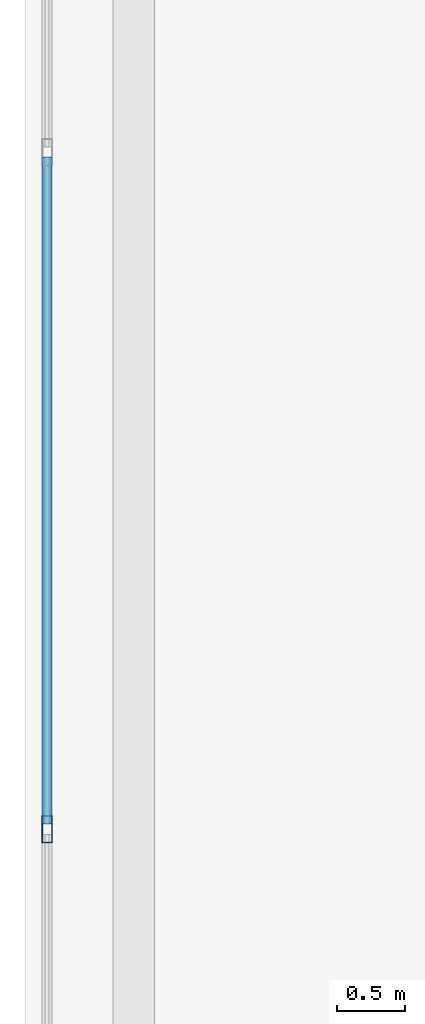
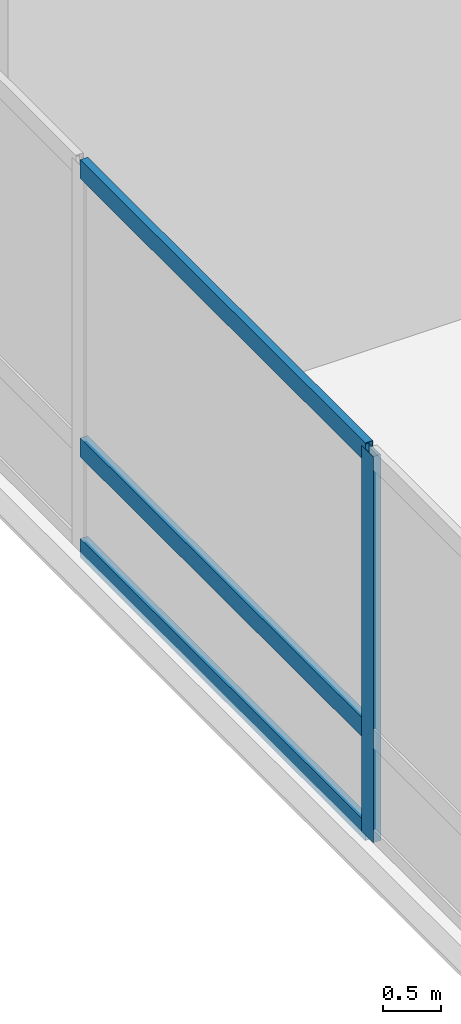
# One storey, part 6 of 36: 4 members, 1 element without a shape of its own.
"""IFC4 building model written with IfcOpenShell, lengths in metres."""

from ifc_helpers import new_model, si_unit, direction, frame, origin, origin_2d, place, context, subcontext, project, spatial, hollow_rectangle, extrude, material, layer, layer_set, material_profile, profile_set, type_object, element, aggregate, save


model = new_model("IFC4")

# Units and contexts
model_context = context("Model", 3, precision=1e-05, world=origin(), true_north=direction((0.0, 1.0)))
body_context = subcontext(model_context, "Body", "Model", "MODEL_VIEW")
ifc_project = project(units=[si_unit("LENGTHUNIT", "METRE"), si_unit("AREAUNIT", "SQUARE_METRE"), si_unit("VOLUMEUNIT", "CUBIC_METRE"), si_unit("PLANEANGLEUNIT", "RADIAN"), si_unit("MASSUNIT", "GRAM", prefix="KILO")], contexts=[model_context])

# Site, building, storey
site_placement = place(None, origin())
site = spatial("IfcSite", under=ifc_project, at=site_placement, CompositionType="ELEMENT")
building_placement = place(site_placement, origin())
building = spatial("IfcBuilding", under=site, at=building_placement, Name="Varnelok Gate Tower", CompositionType="ELEMENT")
storey_placement = place(building_placement, frame((0.0, 0.0, 10.800048828125)))
storey = spatial("IfcBuildingStorey", under=building, at=storey_placement, Name="L02", CompositionType="ELEMENT", Elevation=10.800048828125)

# Curtain wall, members
ifc_material = material(Name="Anodized Aluminum Alloy 6063-T6", Category="aluminium")
ifc_layer = layer(ifc_material, 0.179931640625)
ifc_layer_set = layer_set([ifc_layer], Name="Anodized Aluminum Alloy 6063-T6")
curtain_wall_type = type_object("IfcCurtainWallType", Name="CW1-ARCH-PORTAL", PredefinedType="USERDEFINED", material=ifc_layer_set)
curtain_wall_placement = place(storey_placement, origin())
curtain_wall = element("IfcCurtainWall", 1, at=curtain_wall_placement, inside=storey, type_object=curtain_wall_type, Name="L02 Podium Portal Curtain Wall W", ObjectType="UNITISED CURTAIN WALL", PredefinedType="USERDEFINED")
ifc_material_profile_1 = material_profile(ifc_material, hollow_rectangle(XDim=0.074951171875, YDim=0.199951171875, WallThickness=0.00390625, at=origin_2d()), Name="ALU200X75X4")
ifc_profile_set_1 = profile_set([ifc_material_profile_1], Name="Anodized Aluminum Alloy 6063-T6")
member_type_1 = type_object("IfcMemberType", Name="CW-MULL-200", PredefinedType="MULLION", material=ifc_profile_set_1)
member_1_placement = place(storey_placement, frame((0.159912109375, 20.199951171875, 0.0), z_axis=(0.0, 0.0, 1.0), x_axis=(-1.0, 0.0, 0.0)))
member_1 = element("IfcMember", 2, at=member_1_placement, type_object=member_type_1, Name="CW1 mullion 2", PredefinedType="MULLION", context=body_context, shape_type="SweptSolid", body=[
    extrude(hollow_rectangle(XDim=0.074951171875, YDim=0.199951171875, WallThickness=0.00390625, at=origin_2d()), origin(), (0.0, 0.0, 1.0), 4.070068359375),
])
ifc_material_profile_2 = material_profile(ifc_material, hollow_rectangle(XDim=0.074951171875, YDim=0.199951171875, WallThickness=0.00390625, at=origin_2d()), Name="ALU200X75X4")
ifc_profile_set_2 = profile_set([ifc_material_profile_2], Name="Anodized Aluminum Alloy 6063-T6")
member_type_2 = type_object("IfcMemberType", Name="CW-TRAN-200", PredefinedType="USERDEFINED", material=ifc_profile_set_2)
member_2_placement = place(storey_placement, frame((0.159912109375, 20.237548828125, 0.037353515625), z_axis=(0.0, 1.0, 0.0), x_axis=(-1.0, 0.0, 0.0)))
member_2 = element("IfcMember", 3, at=member_2_placement, type_object=member_type_2, Name="CW1 transom 2.1", ObjectType="TRANSOM", PredefinedType="USERDEFINED", context=body_context, shape_type="SweptSolid", body=[
    extrude(hollow_rectangle(XDim=0.074951171875, YDim=0.199951171875, WallThickness=0.00390625, at=origin_2d()), origin(), (0.0, 0.0, 1.0), 4.925048828125),
])
member_3_placement = place(storey_placement, frame((0.159912109375, 20.237548828125, 1.099853515625), z_axis=(0.0, 1.0, 0.0), x_axis=(-1.0, 0.0, 0.0)))
member_3 = element("IfcMember", 4, at=member_3_placement, type_object=member_type_2, Name="CW1 transom 2.2", ObjectType="TRANSOM", PredefinedType="USERDEFINED", context=body_context, shape_type="SweptSolid", body=[
    extrude(hollow_rectangle(XDim=0.074951171875, YDim=0.199951171875, WallThickness=0.00390625, at=origin_2d()), origin(), (0.0, 0.0, 1.0), 4.925048828125),
])
member_4_placement = place(storey_placement, frame((0.159912109375, 20.237548828125, 4.032470703125), z_axis=(0.0, 1.0, 0.0), x_axis=(-1.0, 0.0, 0.0)))
member_4 = element("IfcMember", 5, at=member_4_placement, type_object=member_type_2, Name="CW1 transom 2.3", ObjectType="TRANSOM", PredefinedType="USERDEFINED", context=body_context, shape_type="SweptSolid", body=[
    extrude(hollow_rectangle(XDim=0.074951171875, YDim=0.199951171875, WallThickness=0.00390625, at=origin_2d()), origin(), (0.0, 0.0, 1.0), 4.925048828125),
])
aggregate(curtain_wall, [member_1, member_2, member_3, member_4])

save(model, "model.ifc")
